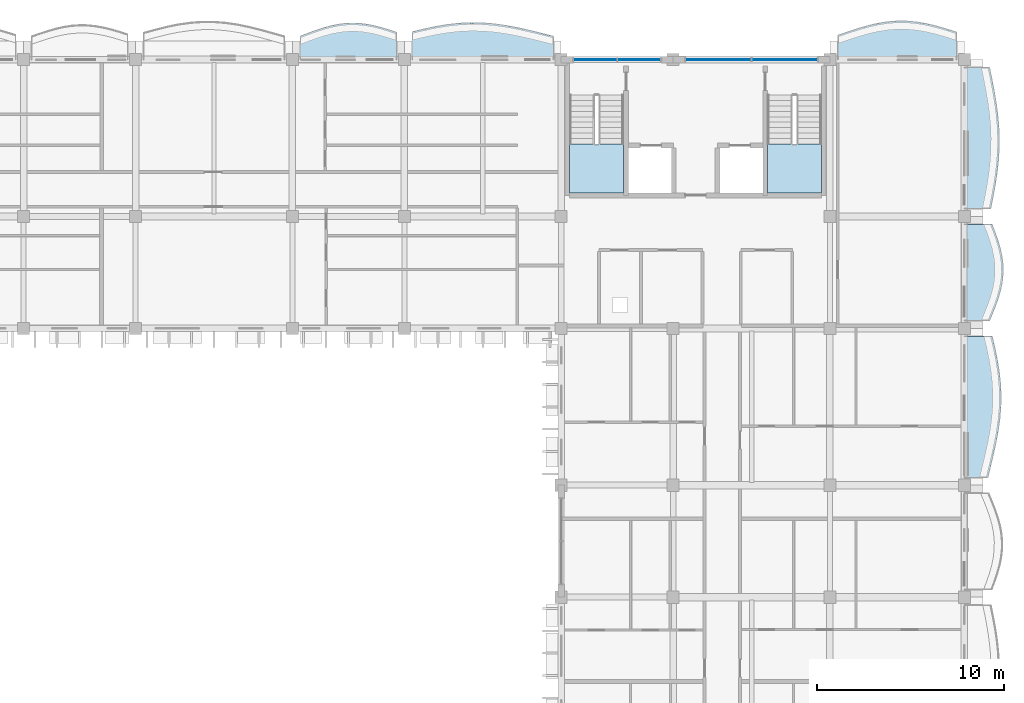
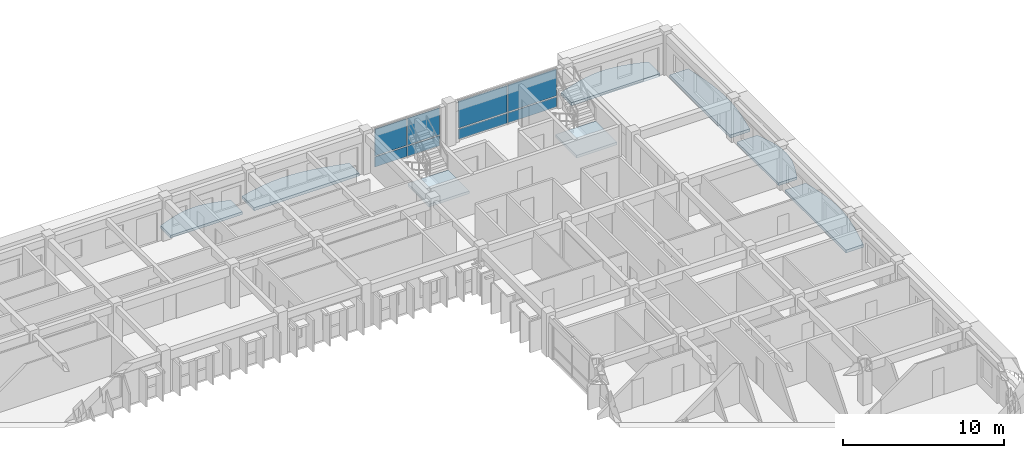
# One storey, part 24 of 79: 8 plates, 8 slabs, 4 elements without a shape of their own.
"""IFC4 building model written with IfcOpenShell, lengths in metres."""

from ifc_helpers import new_model, si_unit, direction, frame, origin, origin_2d, place, context, subcontext, project, spatial, polyline, rectangle, outline, extrude, material, layer, layer_set, type_object, element, aggregate, save


model = new_model("IFC4")

# Units and contexts
model_context = context("Model", 3, precision=1e-05, world=origin(), true_north=direction((0.0, 1.0)))
body_context = subcontext(model_context, "Body", "Model", "MODEL_VIEW")
ifc_project = project(units=[si_unit("LENGTHUNIT", "METRE"), si_unit("AREAUNIT", "SQUARE_METRE"), si_unit("VOLUMEUNIT", "CUBIC_METRE"), si_unit("PLANEANGLEUNIT", "RADIAN"), si_unit("MASSUNIT", "GRAM", prefix="KILO"), si_unit("THERMODYNAMICTEMPERATUREUNIT", "KELVIN")], contexts=[model_context])

# Site, building, storey
site_placement = place(None, origin())
site = spatial("IfcSite", under=ifc_project, at=site_placement, CompositionType="ELEMENT")
building_placement = place(site_placement, origin())
building = spatial("IfcBuilding", under=site, at=building_placement, Name="Thalorik Housing Commons", CompositionType="ELEMENT")
storey_placement = place(building_placement, frame((0.0, 0.0, 11.39990234375)))
storey = spatial("IfcBuildingStorey", under=building, at=storey_placement, Name="L03", CompositionType="ELEMENT", Elevation=11.39990234375)

# Curtain wall, plates
ifc_material_1 = material(Name="Anodised aluminium and solar-control low-E glass", Category="aluminium")
curtain_wall_type = type_object("IfcCurtainWallType", Name="ARC-CW-CORE", PredefinedType="USERDEFINED", material=ifc_material_1)
curtain_wall_1_placement = place(storey_placement, origin())
curtain_wall_1 = element("IfcCurtainWall", 1, at=curtain_wall_1_placement, inside=storey, type_object=curtain_wall_type, Name="L03 Curtain Wall CW-CORE-L03-B-083", ObjectType="CURTAIN WALL", PredefinedType="USERDEFINED")
ifc_material_2 = material(Name="Cobalt blue enamelled aluminium spandrel panel", Category="aluminium")
ifc_layer_1 = layer(ifc_material_2, 0.0458984375, Name="Cobalt blue enamelled aluminium spandrel panel", Category="aluminium")
ifc_layer_set_1 = layer_set([ifc_layer_1], Name="Cobalt blue enamelled aluminium spandrel panel")
plate_type_1 = type_object("IfcPlateType", Name="ARC-CP-BLU-46", PredefinedType="CURTAIN_PANEL", material=ifc_layer_set_1)
plate_1_placement = place(storey_placement, frame((156.574951171875, 123.60009765625, 0.080078125), z_axis=(0.0, 0.0, 1.0), x_axis=(-1.0, 0.0, 0.0)))
plate_1 = element("IfcPlate", 2, at=plate_1_placement, type_object=plate_type_1, Name="CW-CORE-L03-B-083 Spandrel Panel 1", PredefinedType="CURTAIN_PANEL", context=body_context, shape_type="SweptSolid", body=[
    extrude(rectangle(XDim=2.2900390625, YDim=0.0458984375, at=origin_2d()), origin(), (0.0, 0.0, 1.0), 0.760009765625),
])
plate_2_placement = place(storey_placement, frame((154.22509765625, 123.60009765625, 0.080078125), z_axis=(0.0, 0.0, 1.0), x_axis=(-1.0, 0.0, 0.0)))
plate_2 = element("IfcPlate", 3, at=plate_2_placement, type_object=plate_type_1, Name="CW-CORE-L03-B-083 Spandrel Panel 2", PredefinedType="CURTAIN_PANEL", context=body_context, shape_type="SweptSolid", body=[
    extrude(rectangle(XDim=2.2900390625, YDim=0.0458984375, at=origin_2d()), origin(), (0.0, 0.0, 1.0), 0.760009765625),
])

curtain_wall_2_placement = place(storey_placement, origin())
curtain_wall_2 = element("IfcCurtainWall", 4, at=curtain_wall_2_placement, inside=storey, type_object=curtain_wall_type, Name="L03 Curtain Wall CW-CORE-L03-B-082", ObjectType="CURTAIN WALL", PredefinedType="USERDEFINED")
ifc_material_3 = material(Name="Double solar-control low-E glass", Category="glass")
ifc_layer_2 = layer(ifc_material_3, 0.028076171875, Name="Double solar-control low-E glass", Category="glass")
ifc_layer_set_2 = layer_set([ifc_layer_2], Name="Double solar-control low-E glass")
plate_type_2 = type_object("IfcPlateType", Name="ARC-CP-GLZ-28", PredefinedType="CURTAIN_PANEL", material=ifc_layer_set_2)
plate_3_placement = place(storey_placement, frame((164.375, 123.60009765625, 0.920166015625), z_axis=(0.0, 0.0, 1.0), x_axis=(-1.0, 0.0, 0.0)))
plate_3 = element("IfcPlate", 5, at=plate_3_placement, type_object=plate_type_2, Name="CW-CORE-L03-B-082 Vision Panel 1", PredefinedType="CURTAIN_PANEL", context=body_context, shape_type="SweptSolid", body=[
    extrude(rectangle(XDim=3.489990234375, YDim=0.028076171875, at=origin_2d()), origin(), (0.0, 0.0, 1.0), 2.0400390625),
])
plate_4_placement = place(storey_placement, frame((160.824951171875, 123.60009765625, 0.920166015625), z_axis=(0.0, 0.0, 1.0), x_axis=(-1.0, 0.0, 0.0)))
plate_4 = element("IfcPlate", 6, at=plate_4_placement, type_object=plate_type_2, Name="CW-CORE-L03-B-082 Vision Panel 2", PredefinedType="CURTAIN_PANEL", context=body_context, shape_type="SweptSolid", body=[
    extrude(rectangle(XDim=3.489990234375, YDim=0.028076171875, at=origin_2d()), origin(), (0.0, 0.0, 1.0), 2.0400390625),
])

# Plate
plate_5_placement = place(storey_placement, frame((156.574951171875, 123.60009765625, 0.920166015625), z_axis=(0.0, 0.0, 1.0), x_axis=(-1.0, 0.0, 0.0)))
plate_5 = element("IfcPlate", 7, at=plate_5_placement, type_object=plate_type_2, Name="CW-CORE-L03-B-083 Vision Panel 1", PredefinedType="CURTAIN_PANEL", context=body_context, shape_type="SweptSolid", body=[
    extrude(rectangle(XDim=2.2900390625, YDim=0.028076171875, at=origin_2d()), origin(), (0.0, 0.0, 1.0), 2.0400390625),
])

plate_6_placement = place(storey_placement, frame((154.22509765625, 123.60009765625, 0.920166015625), z_axis=(0.0, 0.0, 1.0), x_axis=(-1.0, 0.0, 0.0)))
plate_6 = element("IfcPlate", 8, at=plate_6_placement, type_object=plate_type_2, Name="CW-CORE-L03-B-083 Vision Panel 2", PredefinedType="CURTAIN_PANEL", context=body_context, shape_type="SweptSolid", body=[
    extrude(rectangle(XDim=2.2900390625, YDim=0.028076171875, at=origin_2d()), origin(), (0.0, 0.0, 1.0), 2.0400390625),
])

aggregate(curtain_wall_1, [plate_1, plate_5, plate_2, plate_6])

ifc_material_4 = material(Name="Oxide red enamelled aluminium spandrel panel", Category="aluminium")
ifc_layer_3 = layer(ifc_material_4, 0.0419921875, Name="Oxide red enamelled aluminium spandrel panel", Category="aluminium")
ifc_layer_set_3 = layer_set([ifc_layer_3], Name="Oxide red enamelled aluminium spandrel panel")
plate_type_3 = type_object("IfcPlateType", Name="ARC-CP-RED-42", PredefinedType="CURTAIN_PANEL", material=ifc_layer_set_3)
plate_7_placement = place(storey_placement, frame((164.375, 123.60009765625, 0.080078125), z_axis=(0.0, 0.0, 1.0), x_axis=(-1.0, 0.0, 0.0)))
plate_7 = element("IfcPlate", 9, at=plate_7_placement, type_object=plate_type_3, Name="CW-CORE-L03-B-082 Spandrel Panel 1", PredefinedType="CURTAIN_PANEL", context=body_context, shape_type="SweptSolid", body=[
    extrude(rectangle(XDim=3.489990234375, YDim=0.0419921875, at=origin_2d()), origin(), (0.0, 0.0, 1.0), 0.760009765625),
])

plate_8_placement = place(storey_placement, frame((160.824951171875, 123.60009765625, 0.080078125), z_axis=(0.0, 0.0, 1.0), x_axis=(-1.0, 0.0, 0.0)))
plate_8 = element("IfcPlate", 10, at=plate_8_placement, type_object=plate_type_3, Name="CW-CORE-L03-B-082 Spandrel Panel 2", PredefinedType="CURTAIN_PANEL", context=body_context, shape_type="SweptSolid", body=[
    extrude(rectangle(XDim=3.489990234375, YDim=0.0419921875, at=origin_2d()), origin(), (0.0, 0.0, 1.0), 0.760009765625),
])

aggregate(curtain_wall_2, [plate_7, plate_3, plate_8, plate_4])

# Stair, slab
ifc_material_5 = material(Name="Precast concrete C40/50", Category="concrete")
stair_type = type_object("IfcStairType", Name="ARC-STR-1350-R20", PredefinedType="HALF_TURN_STAIR", material=ifc_material_5)
stair_1_placement = place(storey_placement, origin())
stair_1 = element("IfcStair", 11, at=stair_1_placement, inside=storey, type_object=stair_type, Name="L03 Block B Smoke-Proof Stair 1", PredefinedType="HALF_TURN_STAIR")
ifc_layer_4 = layer(ifc_material_5, 0.199951171875, Name="Precast concrete C40/50", Category="concrete")
ifc_layer_set_4 = layer_set([ifc_layer_4], Name="Precast concrete C40/50")
slab_type_1 = type_object("IfcSlabType", Name="ARC-SLB-STLND-200", PredefinedType="LANDING", material=ifc_layer_set_4)
slab_1_placement = place(storey_placement, frame((0.0, 0.0, 1.4501953125)))
slab_1 = element("IfcSlab", 12, at=slab_1_placement, type_object=slab_type_1, Name="ST-B1 landing 1", PredefinedType="LANDING", context=body_context, shape_type="SweptSolid", body=[
    extrude(outline(polyline([(152.85009765625, 119.090087890625), (152.85009765625, 116.449951171875), (155.75, 116.449951171875), (155.75, 119.090087890625), (152.85009765625, 119.090087890625)])), origin(), (0.0, 0.0, 1.0), 0.199951171875),
])
aggregate(stair_1, [slab_1])

stair_2_placement = place(storey_placement, origin())
stair_2 = element("IfcStair", 13, at=stair_2_placement, inside=storey, type_object=stair_type, Name="L03 Block B Smoke-Proof Stair 2", PredefinedType="HALF_TURN_STAIR")
slab_2_placement = place(storey_placement, frame((0.0, 0.0, 1.4501953125)))
slab_2 = element("IfcSlab", 14, at=slab_2_placement, type_object=slab_type_1, Name="ST-B2 landing 1", PredefinedType="LANDING", context=body_context, shape_type="SweptSolid", body=[
    extrude(outline(polyline([(163.449951171875, 119.090087890625), (163.449951171875, 116.449951171875), (166.35009765625, 116.449951171875), (166.35009765625, 119.090087890625), (163.449951171875, 119.090087890625)])), origin(), (0.0, 0.0, 1.0), 0.199951171875),
])
aggregate(stair_2, [slab_2])

# Slabs
ifc_layer_5 = layer(ifc_material_5, 0.199951171875, Name="Precast concrete C40/50", Category="concrete")
ifc_layer_set_5 = layer_set([ifc_layer_5], Name="Precast concrete C40/50")
slab_type_2 = type_object("IfcSlabType", Name="STR-SLB-BALC-200", PredefinedType="FLOOR", material=ifc_layer_set_5)
slab_3_placement = place(storey_placement, frame((0.0, 0.0, -0.199951171875)))
element("IfcSlab", 15, at=slab_3_placement, inside=storey, type_object=slab_type_2, Name="L03 Block B Cushion Balcony 126", PredefinedType="FLOOR", context=body_context, shape_type="SweptSolid", body=[
    extrude(outline(polyline([(138.419921875, 123.60009765625), (143.580078125, 123.60009765625), (143.580078125, 125.0595703125), (143.14990234375, 125.201904296875), (142.719970703125, 125.330810546875), (142.2900390625, 125.43701171875), (141.860107421875, 125.512451171875), (141.429931640625, 125.55126953125), (141.0, 125.55029296875), (140.570068359375, 125.50830078125), (140.139892578125, 125.42822265625), (139.7099609375, 125.314453125), (139.280029296875, 125.174072265625), (138.85009765625, 125.0166015625), (138.419921875, 124.85205078125), (138.419921875, 123.60009765625)])), origin(), (0.0, 0.0, 1.0), 0.199951171875),
])
slab_4_placement = place(storey_placement, frame((0.0, 0.0, -0.199951171875)))
element("IfcSlab", 16, at=slab_4_placement, inside=storey, type_object=slab_type_2, Name="L03 Block B Cushion Balcony 129", PredefinedType="FLOOR", context=body_context, shape_type="SweptSolid", body=[
    extrude(outline(polyline([(175.34423828125, 109.6201171875), (175.52490234375, 110.050048828125), (175.694580078125, 110.47998046875), (175.843017578125, 110.909912109375), (175.960205078125, 111.340087890625), (176.039306640625, 111.77001953125), (176.075439453125, 112.199951171875), (176.06640625, 112.6298828125), (176.013427734375, 113.06005859375), (175.92041015625, 113.489990234375), (175.79345703125, 113.919921875), (175.6416015625, 114.35009765625), (175.47509765625, 114.780029296875), (174.0, 114.780029296875), (174.0, 109.6201171875), (175.34423828125, 109.6201171875)])), origin(), (0.0, 0.0, 1.0), 0.199951171875),
])
ifc_layer_6 = layer(ifc_material_5, 0.219970703125, Name="Precast concrete C40/50", Category="concrete")
ifc_layer_set_6 = layer_set([ifc_layer_6], Name="Precast concrete C40/50")
slab_type_3 = type_object("IfcSlabType", Name="STR-SLB-BALC-220", PredefinedType="FLOOR", material=ifc_layer_set_6)
slab_5_placement = place(storey_placement, frame((0.0, 0.0, -0.219970703125)))
element("IfcSlab", 17, at=slab_5_placement, inside=storey, type_object=slab_type_3, Name="L03 Block B Cushion Balcony 127", PredefinedType="FLOOR", context=body_context, shape_type="SweptSolid", body=[
    extrude(outline(polyline([(144.419921875, 123.60009765625), (151.97998046875, 123.60009765625), (151.97998046875, 124.8525390625), (151.35009765625, 125.0087890625), (150.719970703125, 125.162841796875), (150.090087890625, 125.3046875), (149.4599609375, 125.424072265625), (148.830078125, 125.51318359375), (148.199951171875, 125.5654296875), (147.570068359375, 125.5771484375), (146.93994140625, 125.54736328125), (146.31005859375, 125.477783203125), (145.679931640625, 125.373046875), (145.050048828125, 125.239990234375), (144.419921875, 125.087890625), (144.419921875, 123.60009765625)])), origin(), (0.0, 0.0, 1.0), 0.219970703125),
])
slab_6_placement = place(storey_placement, frame((0.0, 0.0, -0.219970703125)))
element("IfcSlab", 18, at=slab_6_placement, inside=storey, type_object=slab_type_3, Name="L03 Block B Cushion Balcony 128", PredefinedType="FLOOR", context=body_context, shape_type="SweptSolid", body=[
    extrude(outline(polyline([(167.219970703125, 123.60009765625), (173.580078125, 123.60009765625), (173.580078125, 125.067138671875), (173.050048828125, 125.23828125), (172.52001953125, 125.392822265625), (171.989990234375, 125.520263671875), (171.4599609375, 125.61181640625), (170.929931640625, 125.661376953125), (170.39990234375, 125.6650390625), (169.8701171875, 125.622802734375), (169.340087890625, 125.536865234375), (168.81005859375, 125.41259765625), (168.280029296875, 125.25830078125), (167.75, 125.084228515625), (167.219970703125, 124.901611328125), (167.219970703125, 123.60009765625)])), origin(), (0.0, 0.0, 1.0), 0.219970703125),
])
slab_7_placement = place(storey_placement, frame((0.0, 0.0, -0.219970703125)))
element("IfcSlab", 19, at=slab_7_placement, inside=storey, type_object=slab_type_3, Name="L03 Block B Cushion Balcony 130", PredefinedType="FLOOR", context=body_context, shape_type="SweptSolid", body=[
    extrude(outline(polyline([(175.40869140625, 115.6201171875), (175.53515625, 116.25), (175.650390625, 116.8798828125), (175.746337890625, 117.510009765625), (175.817138671875, 118.139892578125), (175.85791015625, 118.77001953125), (175.8662109375, 119.39990234375), (175.84130859375, 120.030029296875), (175.784912109375, 120.659912109375), (175.701171875, 121.2900390625), (175.595458984375, 121.919921875), (175.474853515625, 122.550048828125), (175.347412109375, 123.179931640625), (174.0, 123.179931640625), (174.0, 115.6201171875), (175.40869140625, 115.6201171875)])), origin(), (0.0, 0.0, 1.0), 0.219970703125),
])
slab_8_placement = place(storey_placement, frame((0.0, 0.0, -0.219970703125)))
element("IfcSlab", 20, at=slab_8_placement, inside=storey, type_object=slab_type_3, Name="L03 Block B Cushion Balcony 134", PredefinedType="FLOOR", context=body_context, shape_type="SweptSolid", body=[
    extrude(outline(polyline([(175.2568359375, 101.219970703125), (175.40869140625, 101.85009765625), (175.55859375, 102.47998046875), (175.6962890625, 103.110107421875), (175.812744140625, 103.739990234375), (175.8994140625, 104.3701171875), (175.9501953125, 105.0), (175.961669921875, 105.6298828125), (175.932861328125, 106.260009765625), (175.865234375, 106.889892578125), (175.763427734375, 107.52001953125), (175.634033203125, 108.14990234375), (175.486083984375, 108.780029296875), (174.0, 108.780029296875), (174.0, 101.219970703125), (175.2568359375, 101.219970703125)])), origin(), (0.0, 0.0, 1.0), 0.219970703125),
])

save(model, "model.ifc")
